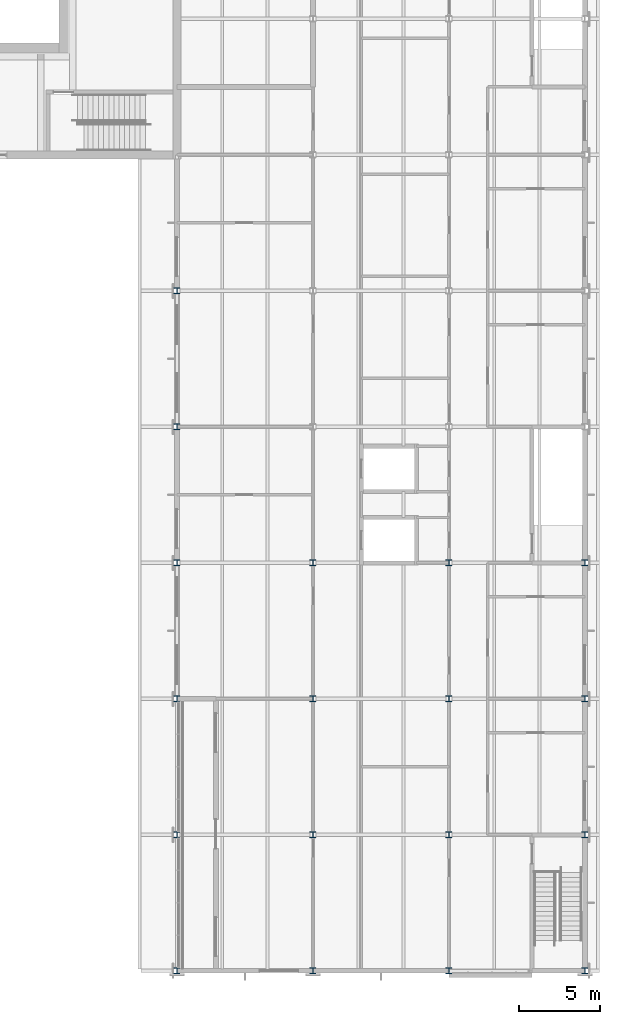
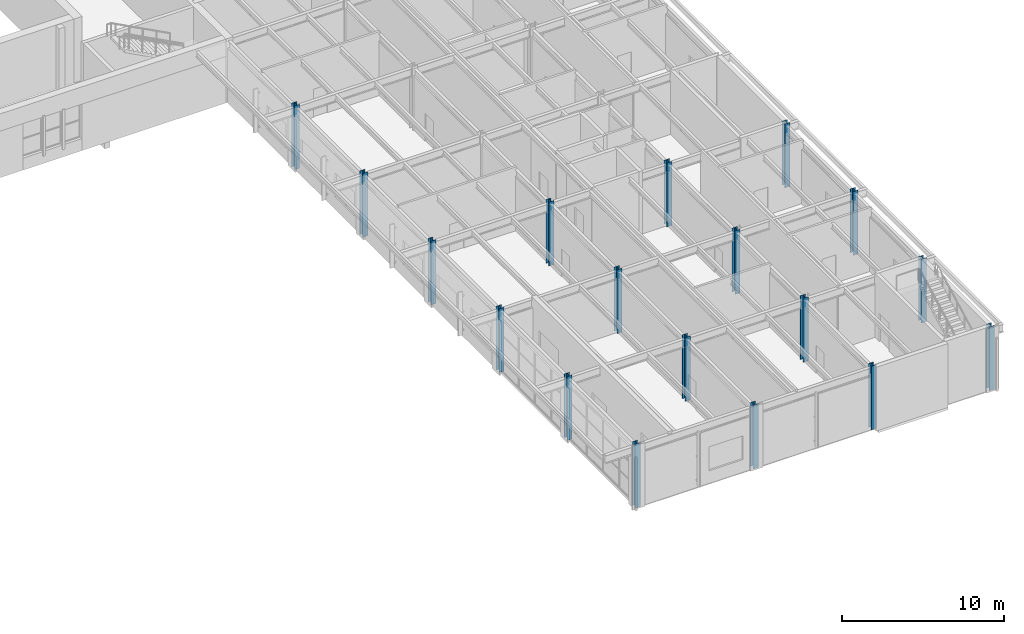
# One storey, part 4 of 116: 18 columns.
"""IFC4 building model written with IfcOpenShell, lengths in metres."""

from ifc_helpers import new_model, si_unit, direction, frame, origin, origin_2d, place, context, subcontext, project, spatial, i_section, extrude, material, material_profile, profile_set, type_object, element, save


model = new_model("IFC4")

# Units and contexts
model_context = context("Model", 3, precision=1e-05, world=origin(), true_north=direction((0.0, 1.0)))
body_context = subcontext(model_context, "Body", "Model", "MODEL_VIEW")
ifc_project = project(units=[si_unit("LENGTHUNIT", "METRE"), si_unit("AREAUNIT", "SQUARE_METRE"), si_unit("VOLUMEUNIT", "CUBIC_METRE"), si_unit("PLANEANGLEUNIT", "RADIAN"), si_unit("MASSUNIT", "GRAM", prefix="KILO")], contexts=[model_context])

# Site, building, storey
site_placement = place(None, origin())
site = spatial("IfcSite", under=ifc_project, at=site_placement, CompositionType="ELEMENT")
building_placement = place(site_placement, origin())
building = spatial("IfcBuilding", under=site, at=building_placement, Name="Ljudholm Concert House", CompositionType="ELEMENT")
storey_placement = place(building_placement, frame((0.0, 0.0, 10.199951171875)))
storey = spatial("IfcBuildingStorey", under=building, at=storey_placement, Name="L02", CompositionType="ELEMENT", Elevation=10.199951171875)

# Columns
ifc_material = material(Name="Steel ASTM A992", Category="steel")
ifc_material_profile = material_profile(ifc_material, i_section(OverallWidth=0.368408203125, OverallDepth=0.355712890625, WebThickness=0.01123046875, FlangeThickness=0.01806640625, FilletRadius=0.01513671875, at=origin_2d()), Name="W14X90")
ifc_profile_set = profile_set([ifc_material_profile], Name="Steel ASTM A992")
column_type = type_object("IfcColumnType", Name="STEEL COLUMN W14X90", PredefinedType="COLUMN", material=ifc_profile_set)
for number, where, z_axis, x_axis, name in (
    (1, (96.39990234375, 4.0, 0.0), (0.0, 0.0, 1.0), (1.0, 0.0, 0.0), "Column BOH-L02-col-96.4-4"),
    (2, (96.39990234375, 12.39990234375, 0.0), (0.0, 0.0, 1.0), (1.0, 0.0, 0.0), "Column BOH-L02-col-96.4-12.4"),
    (3, (96.39990234375, 20.800048828125, 0.0), (0.0, 0.0, 1.0), (1.0, 0.0, 0.0), "Column BOH-L02-col-96.4-20.8"),
    (4, (96.39990234375, 29.199951171875, 0.0), (0.0, 0.0, 1.0), (1.0, 0.0, 0.0), "Column BOH-L02-col-96.4-29.2"),
    (5, (96.39990234375, 37.60009765625, 0.0), (0.0, 0.0, 1.0), (1.0, 0.0, 0.0), "Column BOH-L02-col-96.4-37.6"),
    (6, (96.39990234375, 46.0, 0.0), (0.0, 0.0, 1.0), (1.0, 0.0, 0.0), "Column BOH-L02-col-96.4-46"),
    (7, (104.800048828125, 4.0, 0.0), (0.0, 0.0, 1.0), (1.0, 0.0, 0.0), "Column BOH-L02-col-104.8-4"),
    (8, (104.800048828125, 12.39990234375, 0.0), (0.0, 0.0, 1.0), (1.0, 0.0, 0.0), "Column BOH-L02-col-104.8-12.4"),
    (9, (104.800048828125, 20.800048828125, 0.0), (0.0, 0.0, 1.0), (1.0, 0.0, 0.0), "Column BOH-L02-col-104.8-20.8"),
    (10, (104.800048828125, 29.199951171875, 0.0), (0.0, 0.0, 1.0), (1.0, 0.0, 0.0), "Column BOH-L02-col-104.8-29.2"),
    (11, (113.199951171875, 4.0, 0.0), (0.0, 0.0, 1.0), (1.0, 0.0, 0.0), "Column BOH-L02-col-113.2-4"),
    (12, (113.199951171875, 12.39990234375, 0.0), (0.0, 0.0, 1.0), (1.0, 0.0, 0.0), "Column BOH-L02-col-113.2-12.4"),
    (13, (113.199951171875, 20.800048828125, 0.0), (0.0, 0.0, 1.0), (1.0, 0.0, 0.0), "Column BOH-L02-col-113.2-20.8"),
    (14, (113.199951171875, 29.199951171875, 0.0), (0.0, 0.0, 1.0), (1.0, 0.0, 0.0), "Column BOH-L02-col-113.2-29.2"),
    (15, (121.60009765625, 4.0, 0.0), (0.0, 0.0, 1.0), (1.0, 0.0, 0.0), "Column BOH-L02-col-121.6-4"),
    (16, (121.60009765625, 12.39990234375, 0.0), (0.0, 0.0, 1.0), (1.0, 0.0, 0.0), "Column BOH-L02-col-121.6-12.4"),
    (17, (121.60009765625, 20.800048828125, 0.0), (0.0, 0.0, 1.0), (1.0, 0.0, 0.0), "Column BOH-L02-col-121.6-20.8"),
    (18, (121.60009765625, 29.199951171875, 0.0), (0.0, 0.0, 1.0), (1.0, 0.0, 0.0), "Column BOH-L02-col-121.6-29.2"),
):
    element("IfcColumn", number, at=place(storey_placement, frame(where, z_axis=z_axis, x_axis=x_axis)), inside=storey, type_object=column_type, Name=name, PredefinedType="COLUMN", context=body_context, shape_type="SweptSolid", body=[
        extrude(i_section(OverallWidth=0.368408203125, OverallDepth=0.355712890625, WebThickness=0.01123046875, FlangeThickness=0.01806640625, FilletRadius=0.01513671875, at=origin_2d()), origin(), (0.0, 0.0, 1.0), 4.800048828125),
    ])

save(model, "model.ifc")
